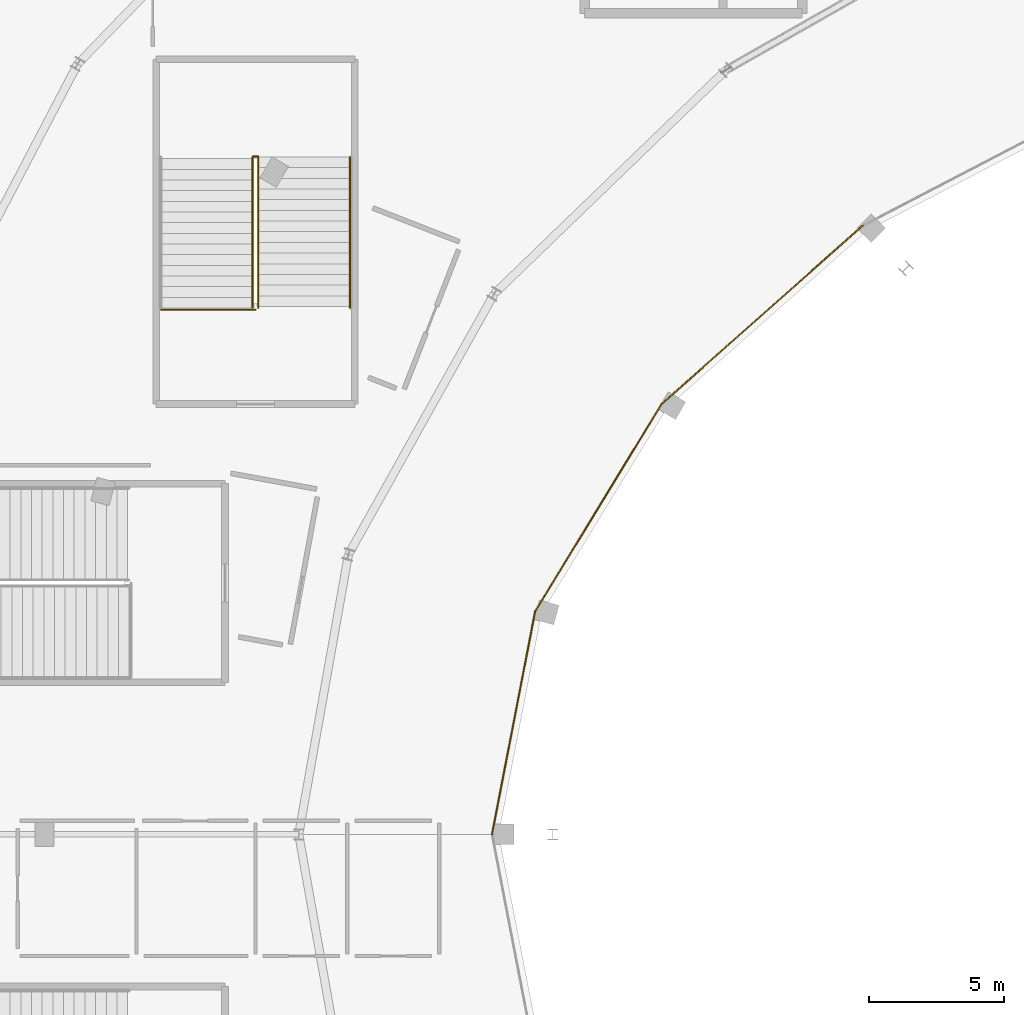
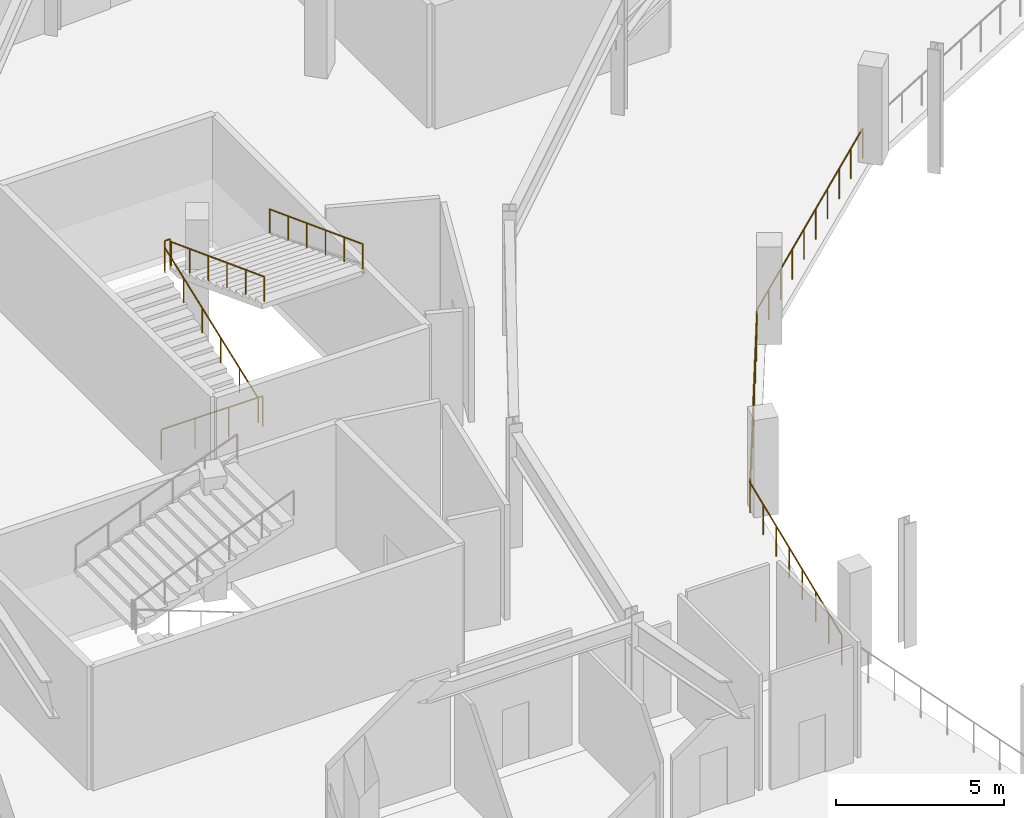
# One storey, part 112 of 123: 8 railings.
"""IFC4 building model written with IfcOpenShell, lengths in metres."""

from ifc_helpers import new_model, si_unit, direction, frame, origin, origin_2d, place, context, subcontext, project, spatial, circle, extrude, material, type_object, element, save


model = new_model("IFC4")

# Units and contexts
model_context = context("Model", 3, precision=1e-05, world=origin(), true_north=direction((0.0, 1.0)))
body_context = subcontext(model_context, "Body", "Model", "MODEL_VIEW")
ifc_project = project(units=[si_unit("LENGTHUNIT", "METRE"), si_unit("AREAUNIT", "SQUARE_METRE"), si_unit("VOLUMEUNIT", "CUBIC_METRE"), si_unit("PLANEANGLEUNIT", "RADIAN"), si_unit("MASSUNIT", "GRAM", prefix="KILO")], contexts=[model_context])

# Site, building, storey
site_placement = place(None, origin())
site = spatial("IfcSite", under=ifc_project, at=site_placement, CompositionType="ELEMENT")
building_placement = place(site_placement, origin())
building = spatial("IfcBuilding", under=site, at=building_placement, Name="Kalgoora Escarpment Arena", CompositionType="ELEMENT")
storey_placement = place(building_placement, frame((0.0, 0.0, 9.89990234375)))
storey = spatial("IfcBuildingStorey", under=building, at=storey_placement, Name="L02", CompositionType="ELEMENT", Elevation=9.89990234375)

# Railings
ifc_material_1 = material(Name="Galvanised & powdercoated tubular steel", Category="steel")
railing_type_1 = type_object("IfcRailingType", Name="RAL-GUARD-1120", PredefinedType="GUARDRAIL", material=ifc_material_1)
railing_1_placement = place(storey_placement, frame((36.705078125, 89.080078125, 2.25)))
element("IfcRailing", 1, at=railing_1_placement, inside=storey, type_object=railing_type_1, Name="ST19 L02 half-landing well guard", PredefinedType="GUARDRAIL", context=body_context, shape_type="SweptSolid", body=[
    extrude(circle(Radius=0.02392578125, at=origin_2d()), frame((0.0, 0.0, 1.09619140625), z_axis=(1.0, 0.0, 0.0), x_axis=(0.0, 1.0, 0.0)), (0.0, 0.0, 1.0), 0.18994140625),
    extrude(circle(Radius=0.02099609375, at=origin_2d()), origin(), (0.0, 0.0, 1.0), 1.072021484375),
    extrude(circle(Radius=0.02099609375, at=origin_2d()), frame((0.18994140625, 0.0, 0.0)), (0.0, 0.0, 1.0), 1.072021484375),
])
railing_2_placement = place(storey_placement, frame((33.31005859375, 83.409912109375, 0.0)))
element("IfcRailing", 2, at=railing_2_placement, inside=storey, type_object=railing_type_1, Name="ST19 L02 floor landing well guard", PredefinedType="GUARDRAIL", context=body_context, shape_type="SweptSolid", body=[
    extrude(circle(Radius=0.02392578125, at=origin_2d()), frame((0.0, 0.0, 1.09619140625), z_axis=(1.0, 0.0, 0.0), x_axis=(0.0, 1.0, 0.0)), (0.0, 0.0, 1.0), 3.489990234375),
    extrude(circle(Radius=0.02099609375, at=origin_2d()), origin(), (0.0, 0.0, 1.0), 1.072021484375),
    extrude(circle(Radius=0.02099609375, at=origin_2d()), frame((1.163330078125, 0.0, 0.0)), (0.0, 0.0, 1.0), 1.072021484375),
    extrude(circle(Radius=0.02099609375, at=origin_2d()), frame((2.32666015625, 0.0, 0.0)), (0.0, 0.0, 1.0), 1.072021484375),
    extrude(circle(Radius=0.02099609375, at=origin_2d()), frame((3.489990234375, 0.0, 0.0)), (0.0, 0.0, 1.0), 1.072021484375),
])
railing_3_placement = place(storey_placement, frame((59.27197265625, 86.521484375, 0.0)))
element("IfcRailing", 3, at=railing_3_placement, inside=storey, type_object=railing_type_1, Name="L02 concourse bowl balustrade 10", PredefinedType="GUARDRAIL", context=body_context, shape_type="SweptSolid", body=[
    extrude(circle(Radius=0.02392578125, at=origin_2d()), frame((0.0, 0.0, 1.09619140625), z_axis=(-0.748487582417, -0.663148806051, 0.0), x_axis=(0.663148806051, -0.748487582417, 0.0)), (0.0, 0.0, 1.0), 9.947021484375),
    extrude(circle(Radius=0.02099609375, at=origin_2d()), origin(), (0.0, 0.0, 1.0), 1.072021484375),
    extrude(circle(Radius=0.02099609375, at=origin_2d()), frame((-0.8271484375, -0.73291015625, 0.0)), (0.0, 0.0, 1.0), 1.072021484375),
    extrude(circle(Radius=0.02099609375, at=origin_2d()), frame((-1.654541015625, -1.4658203125, 0.0)), (0.0, 0.0, 1.0), 1.072021484375),
    extrude(circle(Radius=0.02099609375, at=origin_2d()), frame((-2.481689453125, -2.19873046875, 0.0)), (0.0, 0.0, 1.0), 1.072021484375),
    extrude(circle(Radius=0.02099609375, at=origin_2d()), frame((-3.30908203125, -2.931640625, 0.0)), (0.0, 0.0, 1.0), 1.072021484375),
    extrude(circle(Radius=0.02099609375, at=origin_2d()), frame((-4.13623046875, -3.664794921875, 0.0)), (0.0, 0.0, 1.0), 1.072021484375),
    extrude(circle(Radius=0.02099609375, at=origin_2d()), frame((-4.963623046875, -4.397705078125, 0.0)), (0.0, 0.0, 1.0), 1.072021484375),
    extrude(circle(Radius=0.02099609375, at=origin_2d()), frame((-5.790771484375, -5.130615234375, 0.0)), (0.0, 0.0, 1.0), 1.072021484375),
    extrude(circle(Radius=0.02099609375, at=origin_2d()), frame((-6.6181640625, -5.863525390625, 0.0)), (0.0, 0.0, 1.0), 1.072021484375),
    extrude(circle(Radius=0.02099609375, at=origin_2d()), frame((-7.4453125, -6.596435546875, 0.0)), (0.0, 0.0, 1.0), 1.072021484375),
])
railing_4_placement = place(storey_placement, frame((51.82666015625, 79.925048828125, 0.0)))
element("IfcRailing", 4, at=railing_4_placement, inside=storey, type_object=railing_type_1, Name="L02 concourse bowl balustrade 11", PredefinedType="GUARDRAIL", context=body_context, shape_type="SweptSolid", body=[
    extrude(circle(Radius=0.02392578125, at=origin_2d()), frame((0.0, 0.0, 1.09619140625), z_axis=(-0.520303373026, -0.853981498639, 0.0), x_axis=(0.853981498639, -0.520303373026, 0.0)), (0.0, 0.0, 1.0), 8.9951171875),
    extrude(circle(Radius=0.02099609375, at=origin_2d()), origin(), (0.0, 0.0, 1.0), 1.072021484375),
    extrude(circle(Radius=0.02099609375, at=origin_2d()), frame((-0.5849609375, -0.960205078125, 0.0)), (0.0, 0.0, 1.0), 1.072021484375),
    extrude(circle(Radius=0.02099609375, at=origin_2d()), frame((-1.169921875, -1.92041015625, 0.0)), (0.0, 0.0, 1.0), 1.072021484375),
    extrude(circle(Radius=0.02099609375, at=origin_2d()), frame((-1.755126953125, -2.880615234375, 0.0)), (0.0, 0.0, 1.0), 1.072021484375),
    extrude(circle(Radius=0.02099609375, at=origin_2d()), frame((-2.340087890625, -3.8408203125, 0.0)), (0.0, 0.0, 1.0), 1.072021484375),
    extrude(circle(Radius=0.02099609375, at=origin_2d()), frame((-2.925048828125, -4.801025390625, 0.0)), (0.0, 0.0, 1.0), 1.072021484375),
    extrude(circle(Radius=0.02099609375, at=origin_2d()), frame((-3.51025390625, -5.76123046875, 0.0)), (0.0, 0.0, 1.0), 1.072021484375),
    extrude(circle(Radius=0.02099609375, at=origin_2d()), frame((-4.09521484375, -6.721435546875, 0.0)), (0.0, 0.0, 1.0), 1.072021484375),
    extrude(circle(Radius=0.02099609375, at=origin_2d()), frame((-4.68017578125, -7.681640625, 0.0)), (0.0, 0.0, 1.0), 1.072021484375),
])
railing_5_placement = place(storey_placement, frame((47.146484375, 72.243408203125, 0.0)))
element("IfcRailing", 5, at=railing_5_placement, inside=storey, type_object=railing_type_1, Name="L02 concourse bowl balustrade 12", PredefinedType="GUARDRAIL", context=body_context, shape_type="SweptSolid", body=[
    extrude(circle(Radius=0.02392578125, at=origin_2d()), frame((0.0, 0.0, 1.09619140625), z_axis=(-0.190129490405, -0.981759021796, 0.0), x_axis=(0.981759021796, -0.190129490405, 0.0)), (0.0, 0.0, 1.0), 8.396484375),
    extrude(circle(Radius=0.02099609375, at=origin_2d()), origin(), (0.0, 0.0, 1.0), 1.072021484375),
    extrude(circle(Radius=0.02099609375, at=origin_2d()), frame((-0.22802734375, -1.177734375, 0.0)), (0.0, 0.0, 1.0), 1.072021484375),
    extrude(circle(Radius=0.02099609375, at=origin_2d()), frame((-0.4560546875, -2.355224609375, 0.0)), (0.0, 0.0, 1.0), 1.072021484375),
    extrude(circle(Radius=0.02099609375, at=origin_2d()), frame((-0.68408203125, -3.532958984375, 0.0)), (0.0, 0.0, 1.0), 1.072021484375),
    extrude(circle(Radius=0.02099609375, at=origin_2d()), frame((-0.912353515625, -4.71044921875, 0.0)), (0.0, 0.0, 1.0), 1.072021484375),
    extrude(circle(Radius=0.02099609375, at=origin_2d()), frame((-1.140380859375, -5.88818359375, 0.0)), (0.0, 0.0, 1.0), 1.072021484375),
    extrude(circle(Radius=0.02099609375, at=origin_2d()), frame((-1.368408203125, -7.065673828125, 0.0)), (0.0, 0.0, 1.0), 1.072021484375),
    extrude(circle(Radius=0.02099609375, at=origin_2d()), frame((-1.596435546875, -8.243408203125, 0.0)), (0.0, 0.0, 1.0), 1.072021484375),
])
ifc_material_2 = material(Name="Brushed stainless steel 316 handrail", Category="steel")
railing_type_2 = type_object("IfcRailingType", Name="RAL-HAND-920", PredefinedType="HANDRAIL", material=ifc_material_2)
railing_6_placement = place(storey_placement, frame((36.695068359375, 83.489990234375, 0.110107421875)))
element("IfcRailing", 6, at=railing_6_placement, inside=storey, type_object=railing_type_2, Name="ST19 L02 pitched stair handrail F1R", PredefinedType="HANDRAIL", context=body_context, shape_type="SweptSolid", body=[
    extrude(circle(Radius=0.02392578125, at=origin_2d()), frame((0.0, 0.0, 0.89599609375), z_axis=(0.0, 0.935492612948, 0.353346248203), x_axis=(-1.0, 0.0, 0.0)), (0.0, 0.0, 1.0), 5.943359375),
    extrude(circle(Radius=0.02099609375, at=origin_2d()), origin(), (0.0, 0.0, 1.0), 0.871826171875),
    extrude(circle(Radius=0.02099609375, at=origin_2d()), frame((0.0, 1.112060546875, 0.419921875)), (0.0, 0.0, 1.0), 0.871826171875),
    extrude(circle(Radius=0.02099609375, at=origin_2d()), frame((0.0, 2.22412109375, 0.840087890625)), (0.0, 0.0, 1.0), 0.871826171875),
    extrude(circle(Radius=0.02099609375, at=origin_2d()), frame((0.0, 3.3359375, 1.260009765625)), (0.0, 0.0, 1.0), 0.871826171875),
    extrude(circle(Radius=0.02099609375, at=origin_2d()), frame((0.0, 4.447998046875, 1.68017578125)), (0.0, 0.0, 1.0), 0.871826171875),
    extrude(circle(Radius=0.02099609375, at=origin_2d()), frame((0.0, 5.56005859375, 2.10009765625)), (0.0, 0.0, 1.0), 0.871826171875),
])
for number, where, name in (
    (7, (36.905029296875, 89.050048828125, 2.360107421875), "ST19 L02 pitched stair handrail F2L"),
    (8, (40.300048828125, 89.050048828125, 2.360107421875), "ST19 L02 pitched stair handrail F2R"),
):
    element("IfcRailing", number, at=place(storey_placement, frame(where)), inside=storey, type_object=railing_type_2, Name=name, PredefinedType="HANDRAIL", context=body_context, shape_type="SweptSolid", body=[
        extrude(circle(Radius=0.02392578125, at=origin_2d()), frame((0.0, 0.0, 0.89599609375), z_axis=(0.0, -0.935492612948, 0.353346248203), x_axis=(1.0, 0.0, 0.0)), (0.0, 0.0, 1.0), 5.943359375),
        extrude(circle(Radius=0.02099609375, at=origin_2d()), origin(), (0.0, 0.0, 1.0), 0.871826171875),
        extrude(circle(Radius=0.02099609375, at=origin_2d()), frame((0.0, -1.112060546875, 0.419921875)), (0.0, 0.0, 1.0), 0.871826171875),
        extrude(circle(Radius=0.02099609375, at=origin_2d()), frame((0.0, -2.22412109375, 0.840087890625)), (0.0, 0.0, 1.0), 0.871826171875),
        extrude(circle(Radius=0.02099609375, at=origin_2d()), frame((0.0, -3.3359375, 1.260009765625)), (0.0, 0.0, 1.0), 0.871826171875),
        extrude(circle(Radius=0.02099609375, at=origin_2d()), frame((0.0, -4.447998046875, 1.68017578125)), (0.0, 0.0, 1.0), 0.871826171875),
        extrude(circle(Radius=0.02099609375, at=origin_2d()), frame((0.0, -5.56005859375, 2.10009765625)), (0.0, 0.0, 1.0), 0.871826171875),
    ])

save(model, "model.ifc")
